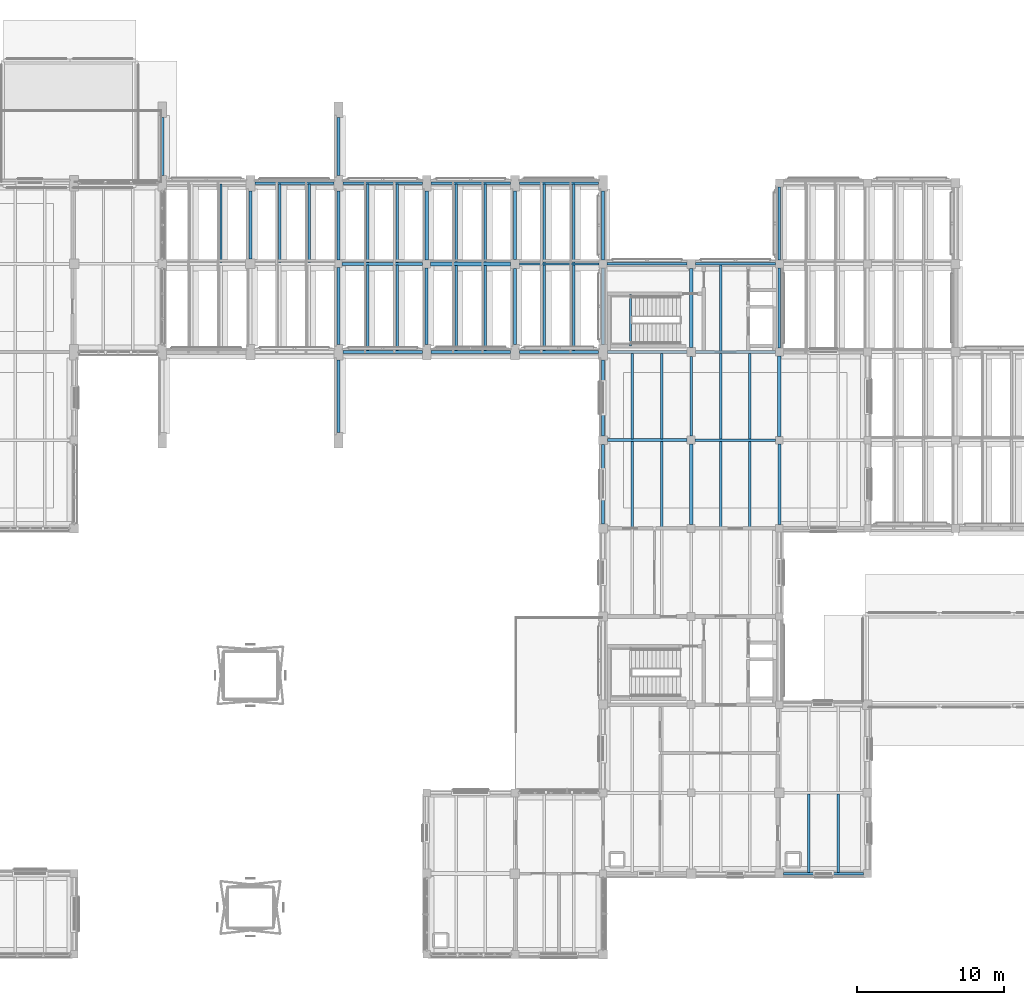
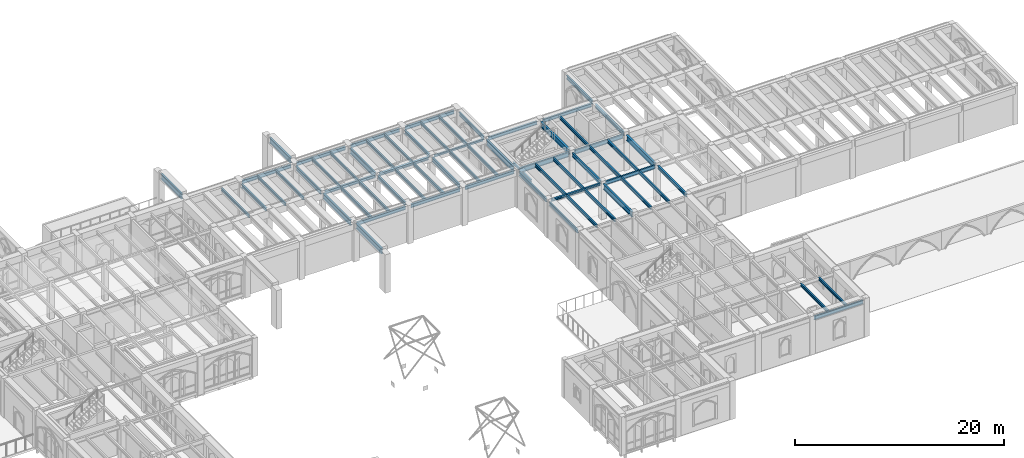
# One storey, part 59 of 127: 65 beams.
"""IFC4 building model written with IfcOpenShell, lengths in metres."""

from ifc_helpers import new_model, si_unit, direction, frame, origin, origin_2d, place, context, subcontext, project, spatial, i_section, extrude, material, material_profile, profile_set, type_object, element, save


model = new_model("IFC4")

# Units and contexts
model_context = context("Model", 3, precision=1e-05, world=origin(), true_north=direction((0.0, 1.0)))
body_context = subcontext(model_context, "Body", "Model", "MODEL_VIEW")
ifc_project = project(units=[si_unit("LENGTHUNIT", "METRE"), si_unit("AREAUNIT", "SQUARE_METRE"), si_unit("VOLUMEUNIT", "CUBIC_METRE"), si_unit("PLANEANGLEUNIT", "RADIAN"), si_unit("MASSUNIT", "GRAM", prefix="KILO")], contexts=[model_context])

# Site, building, storey
site_placement = place(None, origin())
site = spatial("IfcSite", under=ifc_project, at=site_placement, CompositionType="ELEMENT")
building_placement = place(site_placement, origin())
building = spatial("IfcBuilding", under=site, at=building_placement, Name="Cumevento Cable Car Station", CompositionType="ELEMENT")
storey_placement = place(building_placement, frame((0.0, 0.0, 4.5)))
storey = spatial("IfcBuildingStorey", under=building, at=storey_placement, Name="L02", CompositionType="ELEMENT", Elevation=4.5)

# Beams
ifc_material_1 = material(Name="Steel ASTM A572 Grade 50", Category="steel")
ifc_material_profile_1 = material_profile(ifc_material_1, i_section(OverallWidth=0.22802734375, OverallDepth=0.60791015625, WebThickness=0.01123046875, FlangeThickness=0.017333984375, at=origin_2d()), Name="W610x113.0")
ifc_profile_set_1 = profile_set([ifc_material_profile_1], Name="Steel ASTM A572 Grade 50")
beam_type_1 = type_object("IfcBeamType", Name="Structural Beam BM-02 W610x113.0", PredefinedType="BEAM", material=ifc_profile_set_1)
beam_1_placement = place(storey_placement, frame((100.0, 45.52490234375, 3.885986328125), z_axis=(0.0, 1.0, 0.0), x_axis=(-1.0, 0.0, 0.0)))
element("IfcBeam", 1, at=beam_1_placement, inside=storey, type_object=beam_type_1, Name="Beam BM-02 L02 #628", PredefinedType="BEAM", context=body_context, shape_type="SweptSolid", body=[
    extrude(i_section(OverallWidth=0.22802734375, OverallDepth=0.60791015625, WebThickness=0.01123046875, FlangeThickness=0.017333984375, at=origin_2d()), origin(), (0.0, 0.0, 1.0), 5.22509765625),
])
beam_2_placement = place(storey_placement, frame((106.0, 51.27490234375, 3.885986328125), z_axis=(0.0, 1.0, 0.0), x_axis=(-1.0, 0.0, 0.0)))
element("IfcBeam", 2, at=beam_2_placement, inside=storey, type_object=beam_type_1, Name="Beam BM-02 L02 #631", PredefinedType="BEAM", context=body_context, shape_type="SweptSolid", body=[
    extrude(i_section(OverallWidth=0.22802734375, OverallDepth=0.60791015625, WebThickness=0.01123046875, FlangeThickness=0.017333984375, at=origin_2d()), origin(), (0.0, 0.0, 1.0), 4.7001953125),
])
beam_3_placement = place(storey_placement, frame((118.0, 45.52490234375, 3.881103515625), z_axis=(0.0, 1.0, 0.0), x_axis=(-1.0, 0.0, 0.0)))
element("IfcBeam", 3, at=beam_3_placement, inside=storey, type_object=beam_type_1, Name="Beam BM-02 L02 #634", PredefinedType="BEAM", context=body_context, shape_type="SweptSolid", body=[
    extrude(i_section(OverallWidth=0.22802734375, OverallDepth=0.60791015625, WebThickness=0.01123046875, FlangeThickness=0.017333984375, at=origin_2d()), origin(), (0.0, 0.0, 1.0), 5.2001953125),
])
beam_4_placement = place(storey_placement, frame((124.0, 33.27490234375, 3.881103515625), z_axis=(0.0, 1.0, 0.0), x_axis=(-1.0, 0.0, 0.0)))
element("IfcBeam", 4, at=beam_4_placement, inside=storey, type_object=beam_type_1, Name="Beam BM-02 L02 #685", PredefinedType="BEAM", context=body_context, shape_type="SweptSolid", body=[
    extrude(i_section(OverallWidth=0.22802734375, OverallDepth=0.60791015625, WebThickness=0.01123046875, FlangeThickness=0.017333984375, at=origin_2d()), origin(), (0.0, 0.0, 1.0), 5.4501953125),
])
beam_5_placement = place(storey_placement, frame((130.0, 39.25, 3.845947265625), z_axis=(0.0, 1.0, 0.0), x_axis=(-1.0, 0.0, 0.0)))
element("IfcBeam", 5, at=beam_5_placement, inside=storey, type_object=beam_type_1, Name="Beam BM-02 L02 #688", PredefinedType="BEAM", context=body_context, shape_type="SweptSolid", body=[
    extrude(i_section(OverallWidth=0.22802734375, OverallDepth=0.60791015625, WebThickness=0.01123046875, FlangeThickness=0.017333984375, at=origin_2d()), origin(), (0.0, 0.0, 1.0), 5.47509765625),
])
beam_6_placement = place(storey_placement, frame((124.0, 45.300048828125, 3.881103515625), z_axis=(0.0, 1.0, 0.0), x_axis=(-1.0, 0.0, 0.0)))
element("IfcBeam", 6, at=beam_6_placement, inside=storey, type_object=beam_type_1, Name="Beam BM-02 L02 #718", PredefinedType="BEAM", context=body_context, shape_type="SweptSolid", body=[
    extrude(i_section(OverallWidth=0.22802734375, OverallDepth=0.60791015625, WebThickness=0.01123046875, FlangeThickness=0.017333984375, at=origin_2d()), origin(), (0.0, 0.0, 1.0), 5.39990234375),
])
for number, where, z_axis, x_axis, name in (
    (7, (88.0, 57.02490234375, 4.196044921875), (0.0, 1.0, 0.0), (-1.0, 0.0, 0.0), "North Uphill Summit Ropeway Cabin Portal Buttress Tie Girder L02 #81"),
    (8, (100.0, 57.02490234375, 4.196044921875), (0.0, 1.0, 0.0), (-1.0, 0.0, 0.0), "North Uphill Summit Ropeway Cabin Portal Buttress Tie Girder L02 #82"),
):
    element("IfcBeam", number, at=place(storey_placement, frame(where, z_axis=z_axis, x_axis=x_axis)), inside=storey, type_object=beam_type_1, Name=name, PredefinedType="BEAM", context=body_context, shape_type="SweptSolid", body=[
        extrude(i_section(OverallWidth=0.22802734375, OverallDepth=0.60791015625, WebThickness=0.01123046875, FlangeThickness=0.017333984375, at=origin_2d()), origin(), (0.0, 0.0, 1.0), 3.9501953125),
    ])
beam_7_placement = place(storey_placement, frame((100.0, 39.52490234375, 4.196044921875), z_axis=(0.0, 1.0, 0.0), x_axis=(-1.0, 0.0, 0.0)))
element("IfcBeam", 9, at=beam_7_placement, inside=storey, type_object=beam_type_1, Name="South Downhill Foothill Ropeway Cabin Portal Buttress Tie Girder L02 #92", PredefinedType="BEAM", context=body_context, shape_type="SweptSolid", body=[
    extrude(i_section(OverallWidth=0.22802734375, OverallDepth=0.60791015625, WebThickness=0.01123046875, FlangeThickness=0.017333984375, at=origin_2d()), origin(), (0.0, 0.0, 1.0), 4.9501953125),
])
ifc_material_2 = material(Name="Steel ASTM A572 Grade 50", Category="steel")
ifc_material_profile_2 = material_profile(ifc_material_2, i_section(OverallWidth=0.18994140625, OverallDepth=0.45703125, WebThickness=0.009033203125, FlangeThickness=0.014404296875, at=origin_2d()), Name="W460x74.0")
ifc_profile_set_2 = profile_set([ifc_material_profile_2], Name="Steel ASTM A572 Grade 50")
beam_type_2 = type_object("IfcBeamType", Name="Structural Beam BM-04 W460x74.0", PredefinedType="BEAM", material=ifc_profile_set_2)
beam_8_placement = place(storey_placement, frame((100.0, 51.25, 3.96142578125), z_axis=(0.0, 1.0, 0.0), x_axis=(-1.0, 0.0, 0.0)))
element("IfcBeam", 10, at=beam_8_placement, inside=storey, type_object=beam_type_2, Name="Beam BM-04 L02 #629", PredefinedType="BEAM", context=body_context, shape_type="SweptSolid", body=[
    extrude(i_section(OverallWidth=0.18994140625, OverallDepth=0.45703125, WebThickness=0.009033203125, FlangeThickness=0.014404296875, at=origin_2d()), origin(), (0.0, 0.0, 1.0), 4.72509765625),
])
beam_9_placement = place(storey_placement, frame((112.0, 45.52490234375, 3.96142578125), z_axis=(0.0, 1.0, 0.0), x_axis=(-1.0, 0.0, 0.0)))
element("IfcBeam", 11, at=beam_9_placement, inside=storey, type_object=beam_type_2, Name="Beam BM-04 L02 #632", PredefinedType="BEAM", context=body_context, shape_type="SweptSolid", body=[
    extrude(i_section(OverallWidth=0.18994140625, OverallDepth=0.45703125, WebThickness=0.009033203125, FlangeThickness=0.014404296875, at=origin_2d()), origin(), (0.0, 0.0, 1.0), 5.175048828125),
])
for number, where, z_axis, x_axis, name in (
    (12, (124.300048828125, 45.0, 3.92138671875), (1.0, 0.0, 0.0), (0.0, 1.0, 0.0), "Beam BM-04 L02 #681"),
    (13, (124.0, 39.27490234375, 3.95654296875), (0.0, 1.0, 0.0), (-1.0, 0.0, 0.0), "Beam BM-04 L02 #686"),
):
    element("IfcBeam", number, at=place(storey_placement, frame(where, z_axis=z_axis, x_axis=x_axis)), inside=storey, type_object=beam_type_2, Name=name, PredefinedType="BEAM", context=body_context, shape_type="SweptSolid", body=[
        extrude(i_section(OverallWidth=0.18994140625, OverallDepth=0.45703125, WebThickness=0.009033203125, FlangeThickness=0.014404296875, at=origin_2d()), origin(), (0.0, 0.0, 1.0), 5.425048828125),
    ])
beam_10_placement = place(storey_placement, frame((130.0, 45.27490234375, 3.92138671875), z_axis=(0.0, 1.0, 0.0), x_axis=(-1.0, 0.0, 0.0)))
element("IfcBeam", 14, at=beam_10_placement, inside=storey, type_object=beam_type_2, Name="Beam BM-04 L02 #719", PredefinedType="BEAM", context=body_context, shape_type="SweptSolid", body=[
    extrude(i_section(OverallWidth=0.18994140625, OverallDepth=0.45703125, WebThickness=0.009033203125, FlangeThickness=0.014404296875, at=origin_2d()), origin(), (0.0, 0.0, 1.0), 5.4501953125),
])
ifc_material_3 = material(Name="Steel ASTM A572 Grade 50", Category="steel")
ifc_material_profile_3 = material_profile(ifc_material_3, i_section(OverallWidth=0.205078125, OverallDepth=0.35400390625, WebThickness=0.009521484375, FlangeThickness=0.016845703125, at=origin_2d()), Name="W360x79.0")
ifc_profile_set_3 = profile_set([ifc_material_profile_3], Name="Steel ASTM A572 Grade 50")
beam_type_3 = type_object("IfcBeamType", Name="Structural Beam BM-05 W360x79.0", PredefinedType="BEAM", material=ifc_profile_set_3)
beam_11_placement = place(storey_placement, frame((100.25, 51.0, 4.012939453125), z_axis=(1.0, 0.0, 0.0), x_axis=(0.0, 1.0, 0.0)))
element("IfcBeam", 15, at=beam_11_placement, inside=storey, type_object=beam_type_3, Name="Beam BM-05 L02 #618", PredefinedType="BEAM", context=body_context, shape_type="SweptSolid", body=[
    extrude(i_section(OverallWidth=0.205078125, OverallDepth=0.35400390625, WebThickness=0.009521484375, FlangeThickness=0.016845703125, at=origin_2d()), origin(), (0.0, 0.0, 1.0), 5.47509765625),
])
beam_12_placement = place(storey_placement, frame((94.0, 51.324951171875, 4.012939453125), z_axis=(0.0, 1.0, 0.0), x_axis=(-1.0, 0.0, 0.0)))
element("IfcBeam", 16, at=beam_12_placement, inside=storey, type_object=beam_type_3, Name="Beam BM-05 L02 #627", PredefinedType="BEAM", context=body_context, shape_type="SweptSolid", body=[
    extrude(i_section(OverallWidth=0.205078125, OverallDepth=0.35400390625, WebThickness=0.009521484375, FlangeThickness=0.016845703125, at=origin_2d()), origin(), (0.0, 0.0, 1.0), 4.650146484375),
])
beam_13_placement = place(storey_placement, frame((106.0, 45.52490234375, 4.012939453125), z_axis=(0.0, 1.0, 0.0), x_axis=(-1.0, 0.0, 0.0)))
element("IfcBeam", 17, at=beam_13_placement, inside=storey, type_object=beam_type_3, Name="Beam BM-05 L02 #630", PredefinedType="BEAM", context=body_context, shape_type="SweptSolid", body=[
    extrude(i_section(OverallWidth=0.205078125, OverallDepth=0.35400390625, WebThickness=0.009521484375, FlangeThickness=0.016845703125, at=origin_2d()), origin(), (0.0, 0.0, 1.0), 5.2001953125),
])
beam_14_placement = place(storey_placement, frame((112.0, 51.300048828125, 4.012939453125), z_axis=(0.0, 1.0, 0.0), x_axis=(-1.0, 0.0, 0.0)))
element("IfcBeam", 18, at=beam_14_placement, inside=storey, type_object=beam_type_3, Name="Beam BM-05 L02 #633", PredefinedType="BEAM", context=body_context, shape_type="SweptSolid", body=[
    extrude(i_section(OverallWidth=0.205078125, OverallDepth=0.35400390625, WebThickness=0.009521484375, FlangeThickness=0.016845703125, at=origin_2d()), origin(), (0.0, 0.0, 1.0), 4.675048828125),
])
beam_15_placement = place(storey_placement, frame((130.0, 33.25, 4.008056640625), z_axis=(0.0, 1.0, 0.0), x_axis=(-1.0, 0.0, 0.0)))
element("IfcBeam", 19, at=beam_15_placement, inside=storey, type_object=beam_type_3, Name="Beam BM-05 L02 #687", PredefinedType="BEAM", context=body_context, shape_type="SweptSolid", body=[
    extrude(i_section(OverallWidth=0.205078125, OverallDepth=0.35400390625, WebThickness=0.009521484375, FlangeThickness=0.016845703125, at=origin_2d()), origin(), (0.0, 0.0, 1.0), 5.5),
])
ifc_material_4 = material(Name="Steel ASTM A572 Grade 50", Category="steel")
ifc_material_profile_4 = material_profile(ifc_material_4, i_section(OverallWidth=0.25390625, OverallDepth=0.305908203125, WebThickness=0.0087890625, FlangeThickness=0.0146484375, at=origin_2d()), Name="W310x79.0")
ifc_profile_set_4 = profile_set([ifc_material_profile_4], Name="Steel ASTM A572 Grade 50")
beam_type_4 = type_object("IfcBeamType", Name="Structural Beam BM-06 W310x79.0", PredefinedType="BEAM", material=ifc_profile_set_4)
beam_16_placement = place(storey_placement, frame((106.27490234375, 51.0, 4.037109375), z_axis=(1.0, 0.0, 0.0), x_axis=(0.0, 1.0, 0.0)))
element("IfcBeam", 20, at=beam_16_placement, inside=storey, type_object=beam_type_4, Name="Beam BM-06 L02 #619", PredefinedType="BEAM", context=body_context, shape_type="SweptSolid", body=[
    extrude(i_section(OverallWidth=0.25390625, OverallDepth=0.305908203125, WebThickness=0.0087890625, FlangeThickness=0.0146484375, at=origin_2d()), origin(), (0.0, 0.0, 1.0), 5.425048828125),
])
ifc_material_5 = material(Name="Steel ASTM A572 Grade 50", Category="steel")
ifc_material_profile_5 = material_profile(ifc_material_5, i_section(OverallWidth=0.14794921875, OverallDepth=0.26611328125, WebThickness=0.007568359375, FlangeThickness=0.012939453125, at=origin_2d()), Name="W250x44.8")
ifc_profile_set_5 = profile_set([ifc_material_profile_5], Name="Steel ASTM A572 Grade 50")
beam_type_5 = type_object("IfcBeamType", Name="Structural Beam BM-07 W250x44.8", PredefinedType="BEAM", material=ifc_profile_set_5)
beam_17_placement = place(storey_placement, frame((112.300048828125, 51.0, 4.056884765625), z_axis=(1.0, 0.0, 0.0), x_axis=(0.0, 1.0, 0.0)))
element("IfcBeam", 21, at=beam_17_placement, inside=storey, type_object=beam_type_5, Name="Beam BM-07 L02 #620", PredefinedType="BEAM", context=body_context, shape_type="SweptSolid", body=[
    extrude(i_section(OverallWidth=0.14794921875, OverallDepth=0.26611328125, WebThickness=0.007568359375, FlangeThickness=0.012939453125, at=origin_2d()), origin(), (0.0, 0.0, 1.0), 5.425048828125),
])
beam_18_placement = place(storey_placement, frame((119.860107421875, 45.39990234375, 1.885986328125), z_axis=(0.0, 1.0, 0.0), x_axis=(-1.0, 0.0, 0.0)))
element("IfcBeam", 22, at=beam_18_placement, inside=storey, type_object=beam_type_5, Name="Core Stair Half-Landing Trimmer ST-06-L02", PredefinedType="BEAM", context=body_context, shape_type="SweptSolid", body=[
    extrude(i_section(OverallWidth=0.14794921875, OverallDepth=0.26611328125, WebThickness=0.007568359375, FlangeThickness=0.012939453125, at=origin_2d()), origin(), (0.0, 0.0, 1.0), 3.52001953125),
])
ifc_material_6 = material(Name="Steel ASTM A572 Grade 50", Category="steel")
ifc_material_profile_6 = material_profile(ifc_material_6, i_section(OverallWidth=0.202880859375, OverallDepth=0.251953125, WebThickness=0.008056640625, FlangeThickness=0.013427734375, at=origin_2d()), Name="W250x58.0")
ifc_profile_set_6 = profile_set([ifc_material_profile_6], Name="Steel ASTM A572 Grade 50")
beam_type_6 = type_object("IfcBeamType", Name="Structural Beam BM-08 W250x58.0", PredefinedType="BEAM", material=ifc_profile_set_6)
beam_19_placement = place(storey_placement, frame((118.300048828125, 39.0, 4.05908203125), z_axis=(1.0, 0.0, 0.0), x_axis=(0.0, 1.0, 0.0)))
element("IfcBeam", 23, at=beam_19_placement, inside=storey, type_object=beam_type_6, Name="Beam BM-08 L02 #677", PredefinedType="BEAM", context=body_context, shape_type="SweptSolid", body=[
    extrude(i_section(OverallWidth=0.202880859375, OverallDepth=0.251953125, WebThickness=0.008056640625, FlangeThickness=0.013427734375, at=origin_2d()), origin(), (0.0, 0.0, 1.0), 5.425048828125),
])
ifc_material_7 = material(Name="Steel ASTM A572 Grade 50", Category="steel")
ifc_material_profile_7 = material_profile(ifc_material_7, i_section(OverallWidth=0.179931640625, OverallDepth=0.4130859375, WebThickness=0.009765625, FlangeThickness=0.01611328125, at=origin_2d()), Name="W410x74.0")
ifc_profile_set_7 = profile_set([ifc_material_profile_7], Name="Steel ASTM A572 Grade 50")
beam_type_7 = type_object("IfcBeamType", Name="Structural Beam BM-09 W410x74.0", PredefinedType="BEAM", material=ifc_profile_set_7)
beam_20_placement = place(storey_placement, frame((124.27490234375, 39.0, 3.978515625), z_axis=(1.0, 0.0, 0.0), x_axis=(0.0, 1.0, 0.0)))
element("IfcBeam", 24, at=beam_20_placement, inside=storey, type_object=beam_type_7, Name="Beam BM-09 L02 #678", PredefinedType="BEAM", context=body_context, shape_type="SweptSolid", body=[
    extrude(i_section(OverallWidth=0.179931640625, OverallDepth=0.4130859375, WebThickness=0.009765625, FlangeThickness=0.01611328125, at=origin_2d()), origin(), (0.0, 0.0, 1.0), 5.47509765625),
])
ifc_material_8 = material(Name="Steel ASTM A572 Grade 50", Category="steel")
ifc_material_profile_8 = material_profile(ifc_material_8, i_section(OverallWidth=0.2109375, OverallDepth=0.5390625, WebThickness=0.01171875, FlangeThickness=0.018798828125, at=origin_2d()), Name="W530x109.0")
ifc_profile_set_8 = profile_set([ifc_material_profile_8], Name="Steel ASTM A572 Grade 50")
beam_type_8 = type_object("IfcBeamType", Name="Structural Beam BM-11 W530x109.0", PredefinedType="BEAM", material=ifc_profile_set_8)
beam_21_placement = place(storey_placement, frame((118.300048828125, 45.0, 3.91552734375), z_axis=(1.0, 0.0, 0.0), x_axis=(0.0, 1.0, 0.0)))
element("IfcBeam", 25, at=beam_21_placement, inside=storey, type_object=beam_type_8, Name="Beam BM-11 L02 #680", PredefinedType="BEAM", context=body_context, shape_type="SweptSolid", body=[
    extrude(i_section(OverallWidth=0.2109375, OverallDepth=0.5390625, WebThickness=0.01171875, FlangeThickness=0.018798828125, at=origin_2d()), origin(), (0.0, 0.0, 1.0), 5.39990234375),
])
ifc_material_9 = material(Name="Steel ASTM A572 Grade 50", Category="steel")
ifc_material_profile_9 = material_profile(ifc_material_9, i_section(OverallWidth=0.1708984375, OverallDepth=0.35498046875, WebThickness=0.007080078125, FlangeThickness=0.01171875, at=origin_2d()), Name="W360x51.0")
ifc_profile_set_9 = profile_set([ifc_material_profile_9], Name="Steel ASTM A572 Grade 50")
beam_type_9 = type_object("IfcBeamType", Name="Structural Joist JS-01 W360x51.0", PredefinedType="JOIST", material=ifc_profile_set_9)
for number, where, z_axis, x_axis, name in (
    (26, (102.0, 45.076904296875, 4.012451171875), (0.0, 1.0, 0.0), (-1.0, 0.0, 0.0), "Composite Floor Joist JS-01 L02 #842"),
    (27, (104.0, 45.076904296875, 4.012451171875), (0.0, 1.0, 0.0), (-1.0, 0.0, 0.0), "Composite Floor Joist JS-01 L02 #844"),
):
    element("IfcBeam", number, at=place(storey_placement, frame(where, z_axis=z_axis, x_axis=x_axis)), inside=storey, type_object=beam_type_9, Name=name, PredefinedType="JOIST", context=body_context, shape_type="SweptSolid", body=[
        extrude(i_section(OverallWidth=0.1708984375, OverallDepth=0.35498046875, WebThickness=0.007080078125, FlangeThickness=0.01171875, at=origin_2d()), origin(), (0.0, 0.0, 1.0), 5.83251953125),
    ])
for number, where, z_axis, x_axis, name in (
    (28, (108.0, 45.076904296875, 4.012451171875), (0.0, 1.0, 0.0), (-1.0, 0.0, 0.0), "Composite Floor Joist JS-01 L02 #846"),
    (29, (110.0, 45.076904296875, 4.012451171875), (0.0, 1.0, 0.0), (-1.0, 0.0, 0.0), "Composite Floor Joist JS-01 L02 #848"),
):
    element("IfcBeam", number, at=place(storey_placement, frame(where, z_axis=z_axis, x_axis=x_axis)), inside=storey, type_object=beam_type_9, Name=name, PredefinedType="JOIST", context=body_context, shape_type="SweptSolid", body=[
        extrude(i_section(OverallWidth=0.1708984375, OverallDepth=0.35498046875, WebThickness=0.007080078125, FlangeThickness=0.01171875, at=origin_2d()), origin(), (0.0, 0.0, 1.0), 5.80810546875),
    ])
for number, where, z_axis, x_axis, name in (
    (30, (114.0, 45.076904296875, 4.012451171875), (0.0, 1.0, 0.0), (-1.0, 0.0, 0.0), "Composite Floor Joist JS-01 L02 #850"),
    (31, (116.0, 45.076904296875, 4.012451171875), (0.0, 1.0, 0.0), (-1.0, 0.0, 0.0), "Composite Floor Joist JS-01 L02 #852"),
):
    element("IfcBeam", number, at=place(storey_placement, frame(where, z_axis=z_axis, x_axis=x_axis)), inside=storey, type_object=beam_type_9, Name=name, PredefinedType="JOIST", context=body_context, shape_type="SweptSolid", body=[
        extrude(i_section(OverallWidth=0.1708984375, OverallDepth=0.35498046875, WebThickness=0.007080078125, FlangeThickness=0.01171875, at=origin_2d()), origin(), (0.0, 0.0, 1.0), 5.861083984375),
    ])
beam_22_placement = place(storey_placement, frame((120.0, 33.083984375, 4.007568359375), z_axis=(0.0, 1.0, 0.0), x_axis=(-1.0, 0.0, 0.0)))
element("IfcBeam", 32, at=beam_22_placement, inside=storey, type_object=beam_type_9, Name="Composite Floor Joist JS-01 L02 #883", PredefinedType="JOIST", context=body_context, shape_type="SweptSolid", body=[
    extrude(i_section(OverallWidth=0.1708984375, OverallDepth=0.35498046875, WebThickness=0.007080078125, FlangeThickness=0.01171875, at=origin_2d()), origin(), (0.0, 0.0, 1.0), 5.826416015625),
])
beam_23_placement = place(storey_placement, frame((120.0, 39.089599609375, 4.007568359375), z_axis=(0.0, 1.0, 0.0), x_axis=(-1.0, 0.0, 0.0)))
element("IfcBeam", 33, at=beam_23_placement, inside=storey, type_object=beam_type_9, Name="Composite Floor Joist JS-01 L02 #884", PredefinedType="JOIST", context=body_context, shape_type="SweptSolid", body=[
    extrude(i_section(OverallWidth=0.1708984375, OverallDepth=0.35498046875, WebThickness=0.007080078125, FlangeThickness=0.01171875, at=origin_2d()), origin(), (0.0, 0.0, 1.0), 5.81689453125),
])
beam_24_placement = place(storey_placement, frame((122.0, 33.083984375, 4.007568359375), z_axis=(0.0, 1.0, 0.0), x_axis=(-1.0, 0.0, 0.0)))
element("IfcBeam", 34, at=beam_24_placement, inside=storey, type_object=beam_type_9, Name="Composite Floor Joist JS-01 L02 #885", PredefinedType="JOIST", context=body_context, shape_type="SweptSolid", body=[
    extrude(i_section(OverallWidth=0.1708984375, OverallDepth=0.35498046875, WebThickness=0.007080078125, FlangeThickness=0.01171875, at=origin_2d()), origin(), (0.0, 0.0, 1.0), 5.826416015625),
])
beam_25_placement = place(storey_placement, frame((122.0, 39.089599609375, 4.007568359375), z_axis=(0.0, 1.0, 0.0), x_axis=(-1.0, 0.0, 0.0)))
element("IfcBeam", 35, at=beam_25_placement, inside=storey, type_object=beam_type_9, Name="Composite Floor Joist JS-01 L02 #886", PredefinedType="JOIST", context=body_context, shape_type="SweptSolid", body=[
    extrude(i_section(OverallWidth=0.1708984375, OverallDepth=0.35498046875, WebThickness=0.007080078125, FlangeThickness=0.01171875, at=origin_2d()), origin(), (0.0, 0.0, 1.0), 5.81689453125),
])
beam_26_placement = place(storey_placement, frame((126.0, 33.093505859375, 4.007568359375), z_axis=(0.0, 1.0, 0.0), x_axis=(-1.0, 0.0, 0.0)))
element("IfcBeam", 36, at=beam_26_placement, inside=storey, type_object=beam_type_9, Name="Composite Floor Joist JS-01 L02 #887", PredefinedType="JOIST", context=body_context, shape_type="SweptSolid", body=[
    extrude(i_section(OverallWidth=0.1708984375, OverallDepth=0.35498046875, WebThickness=0.007080078125, FlangeThickness=0.01171875, at=origin_2d()), origin(), (0.0, 0.0, 1.0), 5.82861328125),
])
beam_27_placement = place(storey_placement, frame((126.0, 39.077880859375, 4.007568359375), z_axis=(0.0, 1.0, 0.0), x_axis=(-1.0, 0.0, 0.0)))
element("IfcBeam", 37, at=beam_27_placement, inside=storey, type_object=beam_type_9, Name="Composite Floor Joist JS-01 L02 #888", PredefinedType="JOIST", context=body_context, shape_type="SweptSolid", body=[
    extrude(i_section(OverallWidth=0.1708984375, OverallDepth=0.35498046875, WebThickness=0.007080078125, FlangeThickness=0.01171875, at=origin_2d()), origin(), (0.0, 0.0, 1.0), 5.839111328125),
])
beam_28_placement = place(storey_placement, frame((128.0, 33.093505859375, 4.007568359375), z_axis=(0.0, 1.0, 0.0), x_axis=(-1.0, 0.0, 0.0)))
element("IfcBeam", 38, at=beam_28_placement, inside=storey, type_object=beam_type_9, Name="Composite Floor Joist JS-01 L02 #889", PredefinedType="JOIST", context=body_context, shape_type="SweptSolid", body=[
    extrude(i_section(OverallWidth=0.1708984375, OverallDepth=0.35498046875, WebThickness=0.007080078125, FlangeThickness=0.01171875, at=origin_2d()), origin(), (0.0, 0.0, 1.0), 5.82861328125),
])
beam_29_placement = place(storey_placement, frame((128.0, 39.077880859375, 4.007568359375), z_axis=(0.0, 1.0, 0.0), x_axis=(-1.0, 0.0, 0.0)))
element("IfcBeam", 39, at=beam_29_placement, inside=storey, type_object=beam_type_9, Name="Composite Floor Joist JS-01 L02 #890", PredefinedType="JOIST", context=body_context, shape_type="SweptSolid", body=[
    extrude(i_section(OverallWidth=0.1708984375, OverallDepth=0.35498046875, WebThickness=0.007080078125, FlangeThickness=0.01171875, at=origin_2d()), origin(), (0.0, 0.0, 1.0), 5.839111328125),
])
beam_30_placement = place(storey_placement, frame((126.0, 45.0830078125, 4.007568359375), z_axis=(0.0, 1.0, 0.0), x_axis=(-1.0, 0.0, 0.0)))
element("IfcBeam", 40, at=beam_30_placement, inside=storey, type_object=beam_type_9, Name="Composite Floor Joist JS-01 L02 #915", PredefinedType="JOIST", context=body_context, shape_type="SweptSolid", body=[
    extrude(i_section(OverallWidth=0.1708984375, OverallDepth=0.35498046875, WebThickness=0.007080078125, FlangeThickness=0.01171875, at=origin_2d()), origin(), (0.0, 0.0, 1.0), 5.840087890625),
])
ifc_material_10 = material(Name="Steel ASTM A572 Grade 50", Category="steel")
ifc_material_profile_10 = material_profile(ifc_material_10, i_section(OverallWidth=0.1669921875, OverallDepth=0.31689453125, WebThickness=0.007568359375, FlangeThickness=0.01318359375, at=origin_2d()), Name="W310x52.0")
ifc_profile_set_10 = profile_set([ifc_material_profile_10], Name="Steel ASTM A572 Grade 50")
beam_type_10 = type_object("IfcBeamType", Name="Structural Joist JS-02 W310x52.0", PredefinedType="JOIST", material=ifc_profile_set_10)
beam_31_placement = place(storey_placement, frame((92.0, 51.093505859375, 4.031494140625), z_axis=(0.0, 1.0, 0.0), x_axis=(-1.0, 0.0, 0.0)))
element("IfcBeam", 41, at=beam_31_placement, inside=storey, type_object=beam_type_10, Name="Composite Floor Joist JS-02 L02 #837", PredefinedType="JOIST", context=body_context, shape_type="SweptSolid", body=[
    extrude(i_section(OverallWidth=0.1669921875, OverallDepth=0.31689453125, WebThickness=0.007568359375, FlangeThickness=0.01318359375, at=origin_2d()), origin(), (0.0, 0.0, 1.0), 5.32958984375),
])
for number, where, z_axis, x_axis, name in (
    (42, (96.0, 51.0830078125, 4.031494140625), (0.0, 1.0, 0.0), (-1.0, 0.0, 0.0), "Composite Floor Joist JS-02 L02 #839"),
    (43, (98.0, 51.0830078125, 4.031494140625), (0.0, 1.0, 0.0), (-1.0, 0.0, 0.0), "Composite Floor Joist JS-02 L02 #841"),
):
    element("IfcBeam", number, at=place(storey_placement, frame(where, z_axis=z_axis, x_axis=x_axis)), inside=storey, type_object=beam_type_10, Name=name, PredefinedType="JOIST", context=body_context, shape_type="SweptSolid", body=[
        extrude(i_section(OverallWidth=0.1669921875, OverallDepth=0.31689453125, WebThickness=0.007568359375, FlangeThickness=0.01318359375, at=origin_2d()), origin(), (0.0, 0.0, 1.0), 5.340087890625),
    ])
for number, where, z_axis, x_axis, name in (
    (44, (102.0, 51.090576171875, 4.031494140625), (0.0, 1.0, 0.0), (-1.0, 0.0, 0.0), "Composite Floor Joist JS-02 L02 #843"),
    (45, (104.0, 51.090576171875, 4.031494140625), (0.0, 1.0, 0.0), (-1.0, 0.0, 0.0), "Composite Floor Joist JS-02 L02 #845"),
):
    element("IfcBeam", number, at=place(storey_placement, frame(where, z_axis=z_axis, x_axis=x_axis)), inside=storey, type_object=beam_type_10, Name=name, PredefinedType="JOIST", context=body_context, shape_type="SweptSolid", body=[
        extrude(i_section(OverallWidth=0.1669921875, OverallDepth=0.31689453125, WebThickness=0.007568359375, FlangeThickness=0.01318359375, at=origin_2d()), origin(), (0.0, 0.0, 1.0), 5.33251953125),
    ])
for number, where, z_axis, x_axis, name in (
    (46, (108.0, 51.114990234375, 4.031494140625), (0.0, 1.0, 0.0), (-1.0, 0.0, 0.0), "Composite Floor Joist JS-02 L02 #847"),
    (47, (110.0, 51.114990234375, 4.031494140625), (0.0, 1.0, 0.0), (-1.0, 0.0, 0.0), "Composite Floor Joist JS-02 L02 #849"),
):
    element("IfcBeam", number, at=place(storey_placement, frame(where, z_axis=z_axis, x_axis=x_axis)), inside=storey, type_object=beam_type_10, Name=name, PredefinedType="JOIST", context=body_context, shape_type="SweptSolid", body=[
        extrude(i_section(OverallWidth=0.1669921875, OverallDepth=0.31689453125, WebThickness=0.007568359375, FlangeThickness=0.01318359375, at=origin_2d()), origin(), (0.0, 0.0, 1.0), 5.30810546875),
    ])
for number, where, z_axis, x_axis, name in (
    (48, (114.0, 51.06201171875, 4.031494140625), (0.0, 1.0, 0.0), (-1.0, 0.0, 0.0), "Composite Floor Joist JS-02 L02 #851"),
    (49, (116.0, 51.06201171875, 4.031494140625), (0.0, 1.0, 0.0), (-1.0, 0.0, 0.0), "Composite Floor Joist JS-02 L02 #853"),
):
    element("IfcBeam", number, at=place(storey_placement, frame(where, z_axis=z_axis, x_axis=x_axis)), inside=storey, type_object=beam_type_10, Name=name, PredefinedType="JOIST", context=body_context, shape_type="SweptSolid", body=[
        extrude(i_section(OverallWidth=0.1669921875, OverallDepth=0.31689453125, WebThickness=0.007568359375, FlangeThickness=0.01318359375, at=origin_2d()), origin(), (0.0, 0.0, 1.0), 5.361083984375),
    ])
for number, where, z_axis, x_axis, name in (
    (50, (132.0, 9.576904296875, 4.0576171875), (0.0, 1.0, 0.0), (-1.0, 0.0, 0.0), "Composite Floor Joist JS-02 L02 #874"),
    (51, (134.0, 9.576904296875, 4.0576171875), (0.0, 1.0, 0.0), (-1.0, 0.0, 0.0), "Composite Floor Joist JS-02 L02 #876"),
):
    element("IfcBeam", number, at=place(storey_placement, frame(where, z_axis=z_axis, x_axis=x_axis)), inside=storey, type_object=beam_type_10, Name=name, PredefinedType="JOIST", context=body_context, shape_type="SweptSolid", body=[
        extrude(i_section(OverallWidth=0.1669921875, OverallDepth=0.31689453125, WebThickness=0.007568359375, FlangeThickness=0.01318359375, at=origin_2d()), origin(), (0.0, 0.0, 1.0), 5.339111328125),
    ])
ifc_material_11 = material(Name="Steel ASTM A572 Grade 50", Category="steel")
ifc_material_profile_11 = material_profile(ifc_material_11, i_section(OverallWidth=0.177978515625, OverallDepth=0.406982421875, WebThickness=0.0078125, FlangeThickness=0.0126953125, at=origin_2d()), Name="W410x60.0")
ifc_profile_set_11 = profile_set([ifc_material_profile_11], Name="Steel ASTM A572 Grade 50")
beam_type_11 = type_object("IfcBeamType", Name="Structural Spandrel SP-01 W410x60.0", PredefinedType="SPANDREL", material=ifc_profile_set_11)
for number, where, z_axis, x_axis, name in (
    (52, (100.300048828125, 45.0, 3.986572265625), (1.0, 0.0, 0.0), (0.0, 1.0, 0.0), "Beam SP-01 L02 #613"),
    (53, (106.300048828125, 45.0, 3.986572265625), (1.0, 0.0, 0.0), (0.0, 1.0, 0.0), "Beam SP-01 L02 #614"),
    (54, (112.300048828125, 45.0, 3.9814453125), (1.0, 0.0, 0.0), (0.0, 1.0, 0.0), "Beam SP-01 L02 #615"),
    (55, (94.300048828125, 56.5, 3.986572265625), (1.0, 0.0, 0.0), (0.0, 1.0, 0.0), "Beam SP-01 L02 #622"),
    (56, (100.300048828125, 56.5, 3.986572265625), (1.0, 0.0, 0.0), (0.0, 1.0, 0.0), "Beam SP-01 L02 #623"),
    (57, (106.300048828125, 56.5, 3.986572265625), (1.0, 0.0, 0.0), (0.0, 1.0, 0.0), "Beam SP-01 L02 #624"),
    (58, (112.300048828125, 56.5, 3.986572265625), (1.0, 0.0, 0.0), (0.0, 1.0, 0.0), "Beam SP-01 L02 #625"),
):
    element("IfcBeam", number, at=place(storey_placement, frame(where, z_axis=z_axis, x_axis=x_axis)), inside=storey, type_object=beam_type_11, Name=name, PredefinedType="SPANDREL", context=body_context, shape_type="SweptSolid", body=[
        extrude(i_section(OverallWidth=0.177978515625, OverallDepth=0.406982421875, WebThickness=0.0078125, FlangeThickness=0.0126953125, at=origin_2d()), origin(), (0.0, 0.0, 1.0), 5.39990234375),
    ])
beam_32_placement = place(storey_placement, frame((118.0, 51.27490234375, 3.986572265625), z_axis=(0.0, 1.0, 0.0), x_axis=(-1.0, 0.0, 0.0)))
element("IfcBeam", 59, at=beam_32_placement, inside=storey, type_object=beam_type_11, Name="Beam SP-01 L02 #635", PredefinedType="SPANDREL", context=body_context, shape_type="SweptSolid", body=[
    extrude(i_section(OverallWidth=0.177978515625, OverallDepth=0.406982421875, WebThickness=0.0078125, FlangeThickness=0.0126953125, at=origin_2d()), origin(), (0.0, 0.0, 1.0), 4.7001953125),
])
beam_33_placement = place(storey_placement, frame((130.300048828125, 9.5, 4.012451171875), z_axis=(1.0, 0.0, 0.0), x_axis=(0.0, 1.0, 0.0)))
element("IfcBeam", 60, at=beam_33_placement, inside=storey, type_object=beam_type_11, Name="Beam SP-01 L02 #652", PredefinedType="SPANDREL", context=body_context, shape_type="SweptSolid", body=[
    extrude(i_section(OverallWidth=0.177978515625, OverallDepth=0.406982421875, WebThickness=0.0078125, FlangeThickness=0.0126953125, at=origin_2d()), origin(), (0.0, 0.0, 1.0), 5.425048828125),
])
beam_34_placement = place(storey_placement, frame((118.0, 33.300048828125, 3.9814453125), z_axis=(0.0, 1.0, 0.0), x_axis=(-1.0, 0.0, 0.0)))
element("IfcBeam", 61, at=beam_34_placement, inside=storey, type_object=beam_type_11, Name="Beam SP-01 L02 #683", PredefinedType="SPANDREL", context=body_context, shape_type="SweptSolid", body=[
    extrude(i_section(OverallWidth=0.177978515625, OverallDepth=0.406982421875, WebThickness=0.0078125, FlangeThickness=0.0126953125, at=origin_2d()), origin(), (0.0, 0.0, 1.0), 5.39990234375),
])
beam_35_placement = place(storey_placement, frame((118.0, 39.300048828125, 3.9814453125), z_axis=(0.0, 1.0, 0.0), x_axis=(-1.0, 0.0, 0.0)))
element("IfcBeam", 62, at=beam_35_placement, inside=storey, type_object=beam_type_11, Name="Beam SP-01 L02 #684", PredefinedType="SPANDREL", context=body_context, shape_type="SweptSolid", body=[
    extrude(i_section(OverallWidth=0.177978515625, OverallDepth=0.406982421875, WebThickness=0.0078125, FlangeThickness=0.0126953125, at=origin_2d()), origin(), (0.0, 0.0, 1.0), 5.175048828125),
])
for number, where, z_axis, x_axis, name in (
    (63, (118.27490234375, 51.0, 3.986572265625), (1.0, 0.0, 0.0), (0.0, 1.0, 0.0), "Beam SP-01 L02 #716"),
    (64, (124.300048828125, 51.0, 3.946533203125), (1.0, 0.0, 0.0), (0.0, 1.0, 0.0), "Beam SP-01 L02 #717"),
):
    element("IfcBeam", number, at=place(storey_placement, frame(where, z_axis=z_axis, x_axis=x_axis)), inside=storey, type_object=beam_type_11, Name=name, PredefinedType="SPANDREL", context=body_context, shape_type="SweptSolid", body=[
        extrude(i_section(OverallWidth=0.177978515625, OverallDepth=0.406982421875, WebThickness=0.0078125, FlangeThickness=0.0126953125, at=origin_2d()), origin(), (0.0, 0.0, 1.0), 5.425048828125),
    ])
beam_36_placement = place(storey_placement, frame((130.0, 51.27490234375, 3.946533203125), z_axis=(0.0, 1.0, 0.0), x_axis=(-1.0, 0.0, 0.0)))
element("IfcBeam", 65, at=beam_36_placement, inside=storey, type_object=beam_type_11, Name="Beam SP-01 L02 #724", PredefinedType="SPANDREL", context=body_context, shape_type="SweptSolid", body=[
    extrude(i_section(OverallWidth=0.177978515625, OverallDepth=0.406982421875, WebThickness=0.0078125, FlangeThickness=0.0126953125, at=origin_2d()), origin(), (0.0, 0.0, 1.0), 4.9501953125),
])

save(model, "model.ifc")
